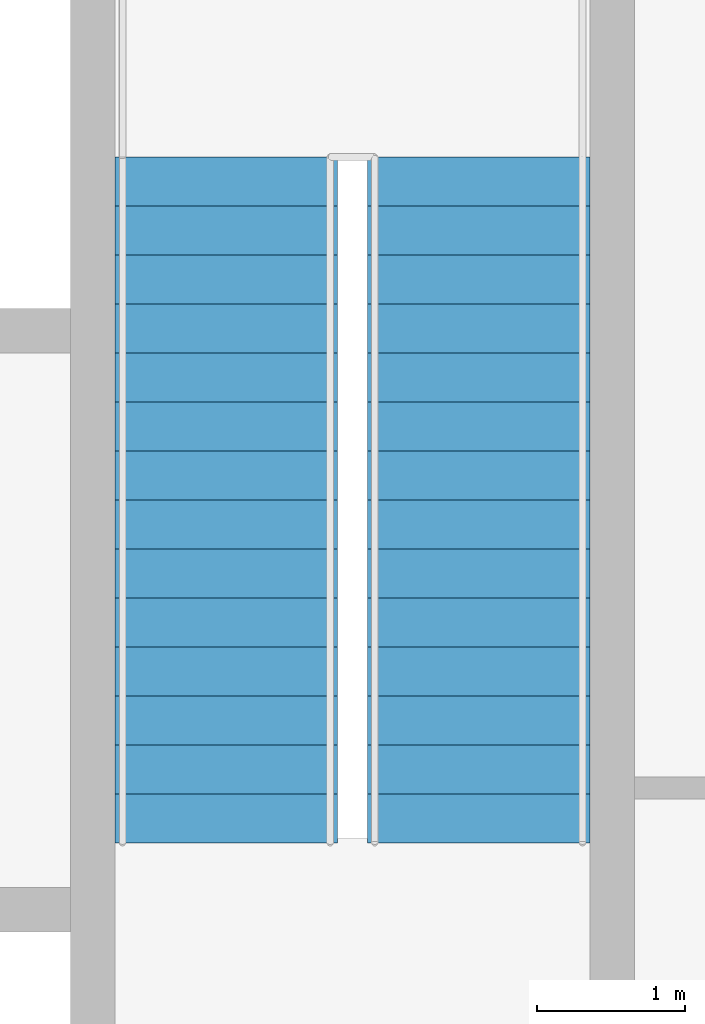
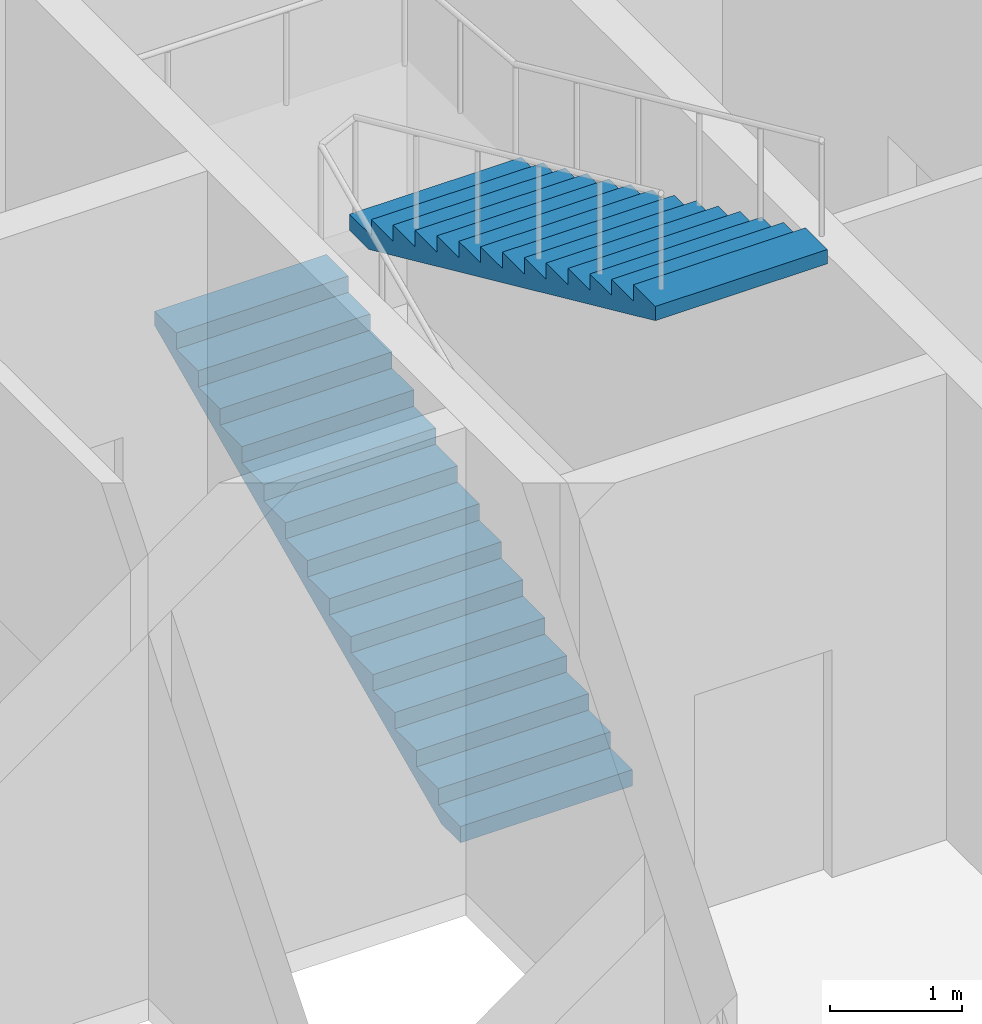
# One storey, part 11 of 12: 2 stair flights, 1 element without a shape of its own.
"""IFC4 building model written with IfcOpenShell, lengths in metres."""

from ifc_helpers import new_model, si_unit, direction, frame, origin, place, context, subcontext, project, spatial, polygons, material, type_object, element, aggregate, save


model = new_model("IFC4")

# Units and contexts
model_context = context("Model", 3, precision=1e-05, world=origin(), true_north=direction((0.0, 1.0)))
body_context = subcontext(model_context, "Body", "Model", "MODEL_VIEW")
ifc_project = project(units=[si_unit("LENGTHUNIT", "METRE"), si_unit("AREAUNIT", "SQUARE_METRE"), si_unit("VOLUMEUNIT", "CUBIC_METRE"), si_unit("PLANEANGLEUNIT", "RADIAN"), si_unit("MASSUNIT", "GRAM", prefix="KILO")], contexts=[model_context])

# Site, building, storey
site_placement = place(None, origin())
site = spatial("IfcSite", under=ifc_project, at=site_placement, CompositionType="ELEMENT")
building_placement = place(site_placement, origin())
building = spatial("IfcBuilding", under=site, at=building_placement, Name="Njiva Tower", CompositionType="ELEMENT")
storey_placement = place(building_placement, frame((0.0, 0.0, 111.3)))
storey = spatial("IfcBuildingStorey", under=building, at=storey_placement, Name="L23", CompositionType="ELEMENT", Elevation=111.3)

# Stair, stair flights
ifc_material = material(Name="Concrete C40/50", Category="concrete")
stair_type = type_object("IfcStairType", Name="ST4 Exit stair 1500", PredefinedType="HALF_TURN_STAIR", material=ifc_material)
stair_placement = place(storey_placement, origin())
stair = element("IfcStair", 1, at=stair_placement, inside=storey, type_object=stair_type, Name="Stair B", PredefinedType="HALF_TURN_STAIR")
stair_flight_type = type_object("IfcStairFlightType", Name="FL4 Stair flight 1500", PredefinedType="STRAIGHT", material=ifc_material)
stair_flight_1_placement = place(storey_placement, frame((11.75, 11.1, 0.0), z_axis=(0.0, 0.0, 1.0), x_axis=(0.0, 1.0, 0.0)))
stair_flight_1 = element("IfcStairFlight", 2, at=stair_flight_1_placement, type_object=stair_flight_type, Name="ST-B flight 1", NumberOfRisers=15, NumberOfTreads=14, PredefinedType="STRAIGHT", RiserHeight=0.15, TreadLength=0.33, context=body_context, shape_type="Tessellation", body=[
    polygons([(0.0, 0.75, 0.0), (0.0, 0.375, 0.0), (0.0, 0.0, 0.0), (0.0, -0.375, 0.0), (0.0, -0.75, 0.0), (0.0, 0.75, 0.15), (0.0, 0.375, 0.15), (0.0, 0.0, 0.15), (0.0, -0.375, 0.15), (0.0, -0.75, 0.15), (0.33, 0.75, 0.15), (0.33, 0.375, 0.15), (0.33, 0.0, 0.15), (0.33, -0.375, 0.15), (0.33, -0.75, 0.15), (0.33, 0.75, 0.3), (0.33, 0.375, 0.3), (0.33, 0.0, 0.3), (0.33, -0.375, 0.3), (0.33, -0.75, 0.3), (0.66, 0.75, 0.3), (0.66, 0.375, 0.3), (0.66, 0.0, 0.3), (0.66, -0.375, 0.3), (0.66, -0.75, 0.3), (0.66, 0.75, 0.45), (0.66, 0.375, 0.45), (0.66, 0.0, 0.45), (0.66, -0.375, 0.45), (0.66, -0.75, 0.45), (0.99, 0.75, 0.45), (0.99, 0.375, 0.45), (0.99, 0.0, 0.45), (0.99, -0.375, 0.45), (0.99, -0.75, 0.45), (0.99, 0.75, 0.6), (0.99, 0.375, 0.6), (0.99, 0.0, 0.6), (0.99, -0.375, 0.6), (0.99, -0.75, 0.6), (1.32, 0.75, 0.6), (1.32, 0.375, 0.6), (1.32, 0.0, 0.6), (1.32, -0.375, 0.6), (1.32, -0.75, 0.6), (1.32, 0.75, 0.75), (1.32, 0.375, 0.75), (1.32, 0.0, 0.75), (1.32, -0.375, 0.75), (1.32, -0.75, 0.75), (1.65, 0.75, 0.75), (1.65, 0.375, 0.75), (1.65, 0.0, 0.75), (1.65, -0.375, 0.75), (1.65, -0.75, 0.75), (1.65, 0.75, 0.9), (1.65, 0.375, 0.9), (1.65, 0.0, 0.9), (1.65, -0.375, 0.9), (1.65, -0.75, 0.9), (1.98, 0.75, 0.9), (1.98, 0.375, 0.9), (1.98, 0.0, 0.9), (1.98, -0.375, 0.9), (1.98, -0.75, 0.9), (1.98, 0.75, 1.05), (1.98, 0.375, 1.05), (1.98, 0.0, 1.05), (1.98, -0.375, 1.05), (1.98, -0.75, 1.05), (2.31, 0.75, 1.05), (2.31, 0.375, 1.05), (2.31, 0.0, 1.05), (2.31, -0.375, 1.05), (2.31, -0.75, 1.05), (2.31, 0.75, 1.2), (2.31, 0.375, 1.2), (2.31, 0.0, 1.2), (2.31, -0.375, 1.2), (2.31, -0.75, 1.2), (2.64, 0.75, 1.2), (2.64, 0.375, 1.2), (2.64, 0.0, 1.2), (2.64, -0.375, 1.2), (2.64, -0.75, 1.2), (2.64, 0.75, 1.35), (2.64, 0.375, 1.35), (2.64, 0.0, 1.35), (2.64, -0.375, 1.35), (2.64, -0.75, 1.35), (2.97, 0.75, 1.35), (2.97, 0.375, 1.35), (2.97, 0.0, 1.35), (2.97, -0.375, 1.35), (2.97, -0.75, 1.35), (2.97, 0.75, 1.5), (2.97, 0.375, 1.5), (2.97, 0.0, 1.5), (2.97, -0.375, 1.5), (2.97, -0.75, 1.5), (3.3, 0.75, 1.5), (3.3, 0.375, 1.5), (3.3, 0.0, 1.5), (3.3, -0.375, 1.5), (3.3, -0.75, 1.5), (3.3, 0.75, 1.65), (3.3, 0.375, 1.65), (3.3, 0.0, 1.65), (3.3, -0.375, 1.65), (3.3, -0.75, 1.65), (3.63, 0.75, 1.65), (3.63, 0.375, 1.65), (3.63, 0.0, 1.65), (3.63, -0.375, 1.65), (3.63, -0.75, 1.65), (3.63, 0.75, 1.8), (3.63, 0.375, 1.8), (3.63, 0.0, 1.8), (3.63, -0.375, 1.8), (3.63, -0.75, 1.8), (3.96, 0.75, 1.8), (3.96, 0.375, 1.8), (3.96, 0.0, 1.8), (3.96, -0.375, 1.8), (3.96, -0.75, 1.8), (3.96, 0.75, 1.95), (3.96, 0.375, 1.95), (3.96, 0.0, 1.95), (3.96, -0.375, 1.95), (3.96, -0.75, 1.95), (4.29, 0.75, 1.95), (4.29, 0.375, 1.95), (4.29, 0.0, 1.95), (4.29, -0.375, 1.95), (4.29, -0.75, 1.95), (4.29, 0.75, 2.1), (4.29, 0.375, 2.1), (4.29, 0.0, 2.1), (4.29, -0.375, 2.1), (4.29, -0.75, 2.1), (4.62, 0.75, 2.1), (4.62, 0.375, 2.1), (4.62, 0.0, 2.1), (4.62, -0.375, 2.1), (4.62, -0.75, 2.1), (4.62, 0.75, 1.9682), (4.62, 0.375, 1.9682), (4.62, 0.0, 1.9682), (4.62, -0.375, 1.9682), (4.62, -0.75, 1.9682), (0.29, 0.75, 0.0), (0.29, 0.375, 0.0), (0.29, 0.0, 0.0), (0.29, -0.375, 0.0), (0.29, -0.75, 0.0)], [[[1, 6, 11, 16, 21, 26, 31, 36, 41, 46, 51, 56, 61, 66, 71, 76, 81, 86, 91, 96, 101, 106, 111, 116, 121, 126, 131, 136, 141, 146, 151]], [[155, 150, 145, 140, 135, 130, 125, 120, 115, 110, 105, 100, 95, 90, 85, 80, 75, 70, 65, 60, 55, 50, 45, 40, 35, 30, 25, 20, 15, 10, 5]], [[6, 1, 2, 7]], [[7, 2, 3, 8]], [[8, 3, 4, 9]], [[9, 4, 5, 10]], [[11, 6, 7, 12]], [[12, 7, 8, 13]], [[13, 8, 9, 14]], [[14, 9, 10, 15]], [[16, 11, 12, 17]], [[17, 12, 13, 18]], [[18, 13, 14, 19]], [[19, 14, 15, 20]], [[21, 16, 17, 22]], [[22, 17, 18, 23]], [[23, 18, 19, 24]], [[24, 19, 20, 25]], [[26, 21, 22, 27]], [[27, 22, 23, 28]], [[28, 23, 24, 29]], [[29, 24, 25, 30]], [[31, 26, 27, 32]], [[32, 27, 28, 33]], [[33, 28, 29, 34]], [[34, 29, 30, 35]], [[36, 31, 32, 37]], [[37, 32, 33, 38]], [[38, 33, 34, 39]], [[39, 34, 35, 40]], [[41, 36, 37, 42]], [[42, 37, 38, 43]], [[43, 38, 39, 44]], [[44, 39, 40, 45]], [[46, 41, 42, 47]], [[47, 42, 43, 48]], [[48, 43, 44, 49]], [[49, 44, 45, 50]], [[51, 46, 47, 52]], [[52, 47, 48, 53]], [[53, 48, 49, 54]], [[54, 49, 50, 55]], [[56, 51, 52, 57]], [[57, 52, 53, 58]], [[58, 53, 54, 59]], [[59, 54, 55, 60]], [[61, 56, 57, 62]], [[62, 57, 58, 63]], [[63, 58, 59, 64]], [[64, 59, 60, 65]], [[66, 61, 62, 67]], [[67, 62, 63, 68]], [[68, 63, 64, 69]], [[69, 64, 65, 70]], [[71, 66, 67, 72]], [[72, 67, 68, 73]], [[73, 68, 69, 74]], [[74, 69, 70, 75]], [[76, 71, 72, 77]], [[77, 72, 73, 78]], [[78, 73, 74, 79]], [[79, 74, 75, 80]], [[81, 76, 77, 82]], [[82, 77, 78, 83]], [[83, 78, 79, 84]], [[84, 79, 80, 85]], [[86, 81, 82, 87]], [[87, 82, 83, 88]], [[88, 83, 84, 89]], [[89, 84, 85, 90]], [[91, 86, 87, 92]], [[92, 87, 88, 93]], [[93, 88, 89, 94]], [[94, 89, 90, 95]], [[96, 91, 92, 97]], [[97, 92, 93, 98]], [[98, 93, 94, 99]], [[99, 94, 95, 100]], [[101, 96, 97, 102]], [[102, 97, 98, 103]], [[103, 98, 99, 104]], [[104, 99, 100, 105]], [[106, 101, 102, 107]], [[107, 102, 103, 108]], [[108, 103, 104, 109]], [[109, 104, 105, 110]], [[111, 106, 107, 112]], [[112, 107, 108, 113]], [[113, 108, 109, 114]], [[114, 109, 110, 115]], [[116, 111, 112, 117]], [[117, 112, 113, 118]], [[118, 113, 114, 119]], [[119, 114, 115, 120]], [[121, 116, 117, 122]], [[122, 117, 118, 123]], [[123, 118, 119, 124]], [[124, 119, 120, 125]], [[126, 121, 122, 127]], [[127, 122, 123, 128]], [[128, 123, 124, 129]], [[129, 124, 125, 130]], [[131, 126, 127, 132]], [[132, 127, 128, 133]], [[133, 128, 129, 134]], [[134, 129, 130, 135]], [[136, 131, 132, 137]], [[137, 132, 133, 138]], [[138, 133, 134, 139]], [[139, 134, 135, 140]], [[141, 136, 137, 142]], [[142, 137, 138, 143]], [[143, 138, 139, 144]], [[144, 139, 140, 145]], [[146, 141, 142, 147]], [[147, 142, 143, 148]], [[148, 143, 144, 149]], [[149, 144, 145, 150]], [[151, 146, 147, 152]], [[152, 147, 148, 153]], [[153, 148, 149, 154]], [[154, 149, 150, 155]], [[1, 151, 152, 2]], [[2, 152, 153, 3]], [[3, 153, 154, 4]], [[4, 154, 155, 5]]], closed=True),
])
stair_flight_2_placement = place(storey_placement, frame((13.45, 15.72, 2.25), z_axis=(0.0, 0.0, 1.0), x_axis=(0.0, -1.0, 0.0)))
stair_flight_2 = element("IfcStairFlight", 3, at=stair_flight_2_placement, type_object=stair_flight_type, Name="ST-B flight 2", NumberOfRisers=15, NumberOfTreads=14, PredefinedType="STRAIGHT", RiserHeight=0.15, TreadLength=0.33, context=body_context, shape_type="Tessellation", body=[
    polygons([(0.0, 0.75, 0.0), (0.0, 0.375, 0.0), (0.0, 0.0, 0.0), (0.0, -0.375, 0.0), (0.0, -0.75, 0.0), (0.0, 0.75, 0.15), (0.0, 0.375, 0.15), (0.0, 0.0, 0.15), (0.0, -0.375, 0.15), (0.0, -0.75, 0.15), (0.33, 0.75, 0.15), (0.33, 0.375, 0.15), (0.33, 0.0, 0.15), (0.33, -0.375, 0.15), (0.33, -0.75, 0.15), (0.33, 0.75, 0.3), (0.33, 0.375, 0.3), (0.33, 0.0, 0.3), (0.33, -0.375, 0.3), (0.33, -0.75, 0.3), (0.66, 0.75, 0.3), (0.66, 0.375, 0.3), (0.66, 0.0, 0.3), (0.66, -0.375, 0.3), (0.66, -0.75, 0.3), (0.66, 0.75, 0.45), (0.66, 0.375, 0.45), (0.66, 0.0, 0.45), (0.66, -0.375, 0.45), (0.66, -0.75, 0.45), (0.99, 0.75, 0.45), (0.99, 0.375, 0.45), (0.99, 0.0, 0.45), (0.99, -0.375, 0.45), (0.99, -0.75, 0.45), (0.99, 0.75, 0.6), (0.99, 0.375, 0.6), (0.99, 0.0, 0.6), (0.99, -0.375, 0.6), (0.99, -0.75, 0.6), (1.32, 0.75, 0.6), (1.32, 0.375, 0.6), (1.32, 0.0, 0.6), (1.32, -0.375, 0.6), (1.32, -0.75, 0.6), (1.32, 0.75, 0.75), (1.32, 0.375, 0.75), (1.32, 0.0, 0.75), (1.32, -0.375, 0.75), (1.32, -0.75, 0.75), (1.65, 0.75, 0.75), (1.65, 0.375, 0.75), (1.65, 0.0, 0.75), (1.65, -0.375, 0.75), (1.65, -0.75, 0.75), (1.65, 0.75, 0.9), (1.65, 0.375, 0.9), (1.65, 0.0, 0.9), (1.65, -0.375, 0.9), (1.65, -0.75, 0.9), (1.98, 0.75, 0.9), (1.98, 0.375, 0.9), (1.98, 0.0, 0.9), (1.98, -0.375, 0.9), (1.98, -0.75, 0.9), (1.98, 0.75, 1.05), (1.98, 0.375, 1.05), (1.98, 0.0, 1.05), (1.98, -0.375, 1.05), (1.98, -0.75, 1.05), (2.31, 0.75, 1.05), (2.31, 0.375, 1.05), (2.31, 0.0, 1.05), (2.31, -0.375, 1.05), (2.31, -0.75, 1.05), (2.31, 0.75, 1.2), (2.31, 0.375, 1.2), (2.31, 0.0, 1.2), (2.31, -0.375, 1.2), (2.31, -0.75, 1.2), (2.64, 0.75, 1.2), (2.64, 0.375, 1.2), (2.64, 0.0, 1.2), (2.64, -0.375, 1.2), (2.64, -0.75, 1.2), (2.64, 0.75, 1.35), (2.64, 0.375, 1.35), (2.64, 0.0, 1.35), (2.64, -0.375, 1.35), (2.64, -0.75, 1.35), (2.97, 0.75, 1.35), (2.97, 0.375, 1.35), (2.97, 0.0, 1.35), (2.97, -0.375, 1.35), (2.97, -0.75, 1.35), (2.97, 0.75, 1.5), (2.97, 0.375, 1.5), (2.97, 0.0, 1.5), (2.97, -0.375, 1.5), (2.97, -0.75, 1.5), (3.3, 0.75, 1.5), (3.3, 0.375, 1.5), (3.3, 0.0, 1.5), (3.3, -0.375, 1.5), (3.3, -0.75, 1.5), (3.3, 0.75, 1.65), (3.3, 0.375, 1.65), (3.3, 0.0, 1.65), (3.3, -0.375, 1.65), (3.3, -0.75, 1.65), (3.63, 0.75, 1.65), (3.63, 0.375, 1.65), (3.63, 0.0, 1.65), (3.63, -0.375, 1.65), (3.63, -0.75, 1.65), (3.63, 0.75, 1.8), (3.63, 0.375, 1.8), (3.63, 0.0, 1.8), (3.63, -0.375, 1.8), (3.63, -0.75, 1.8), (3.96, 0.75, 1.8), (3.96, 0.375, 1.8), (3.96, 0.0, 1.8), (3.96, -0.375, 1.8), (3.96, -0.75, 1.8), (3.96, 0.75, 1.95), (3.96, 0.375, 1.95), (3.96, 0.0, 1.95), (3.96, -0.375, 1.95), (3.96, -0.75, 1.95), (4.29, 0.75, 1.95), (4.29, 0.375, 1.95), (4.29, 0.0, 1.95), (4.29, -0.375, 1.95), (4.29, -0.75, 1.95), (4.29, 0.75, 2.1), (4.29, 0.375, 2.1), (4.29, 0.0, 2.1), (4.29, -0.375, 2.1), (4.29, -0.75, 2.1), (4.62, 0.75, 2.1), (4.62, 0.375, 2.1), (4.62, 0.0, 2.1), (4.62, -0.375, 2.1), (4.62, -0.75, 2.1), (4.62, 0.75, 1.9682), (4.62, 0.375, 1.9682), (4.62, 0.0, 1.9682), (4.62, -0.375, 1.9682), (4.62, -0.75, 1.9682), (0.29, 0.75, 0.0), (0.29, 0.375, 0.0), (0.29, 0.0, 0.0), (0.29, -0.375, 0.0), (0.29, -0.75, 0.0)], [[[1, 6, 11, 16, 21, 26, 31, 36, 41, 46, 51, 56, 61, 66, 71, 76, 81, 86, 91, 96, 101, 106, 111, 116, 121, 126, 131, 136, 141, 146, 151]], [[155, 150, 145, 140, 135, 130, 125, 120, 115, 110, 105, 100, 95, 90, 85, 80, 75, 70, 65, 60, 55, 50, 45, 40, 35, 30, 25, 20, 15, 10, 5]], [[6, 1, 2, 7]], [[7, 2, 3, 8]], [[8, 3, 4, 9]], [[9, 4, 5, 10]], [[11, 6, 7, 12]], [[12, 7, 8, 13]], [[13, 8, 9, 14]], [[14, 9, 10, 15]], [[16, 11, 12, 17]], [[17, 12, 13, 18]], [[18, 13, 14, 19]], [[19, 14, 15, 20]], [[21, 16, 17, 22]], [[22, 17, 18, 23]], [[23, 18, 19, 24]], [[24, 19, 20, 25]], [[26, 21, 22, 27]], [[27, 22, 23, 28]], [[28, 23, 24, 29]], [[29, 24, 25, 30]], [[31, 26, 27, 32]], [[32, 27, 28, 33]], [[33, 28, 29, 34]], [[34, 29, 30, 35]], [[36, 31, 32, 37]], [[37, 32, 33, 38]], [[38, 33, 34, 39]], [[39, 34, 35, 40]], [[41, 36, 37, 42]], [[42, 37, 38, 43]], [[43, 38, 39, 44]], [[44, 39, 40, 45]], [[46, 41, 42, 47]], [[47, 42, 43, 48]], [[48, 43, 44, 49]], [[49, 44, 45, 50]], [[51, 46, 47, 52]], [[52, 47, 48, 53]], [[53, 48, 49, 54]], [[54, 49, 50, 55]], [[56, 51, 52, 57]], [[57, 52, 53, 58]], [[58, 53, 54, 59]], [[59, 54, 55, 60]], [[61, 56, 57, 62]], [[62, 57, 58, 63]], [[63, 58, 59, 64]], [[64, 59, 60, 65]], [[66, 61, 62, 67]], [[67, 62, 63, 68]], [[68, 63, 64, 69]], [[69, 64, 65, 70]], [[71, 66, 67, 72]], [[72, 67, 68, 73]], [[73, 68, 69, 74]], [[74, 69, 70, 75]], [[76, 71, 72, 77]], [[77, 72, 73, 78]], [[78, 73, 74, 79]], [[79, 74, 75, 80]], [[81, 76, 77, 82]], [[82, 77, 78, 83]], [[83, 78, 79, 84]], [[84, 79, 80, 85]], [[86, 81, 82, 87]], [[87, 82, 83, 88]], [[88, 83, 84, 89]], [[89, 84, 85, 90]], [[91, 86, 87, 92]], [[92, 87, 88, 93]], [[93, 88, 89, 94]], [[94, 89, 90, 95]], [[96, 91, 92, 97]], [[97, 92, 93, 98]], [[98, 93, 94, 99]], [[99, 94, 95, 100]], [[101, 96, 97, 102]], [[102, 97, 98, 103]], [[103, 98, 99, 104]], [[104, 99, 100, 105]], [[106, 101, 102, 107]], [[107, 102, 103, 108]], [[108, 103, 104, 109]], [[109, 104, 105, 110]], [[111, 106, 107, 112]], [[112, 107, 108, 113]], [[113, 108, 109, 114]], [[114, 109, 110, 115]], [[116, 111, 112, 117]], [[117, 112, 113, 118]], [[118, 113, 114, 119]], [[119, 114, 115, 120]], [[121, 116, 117, 122]], [[122, 117, 118, 123]], [[123, 118, 119, 124]], [[124, 119, 120, 125]], [[126, 121, 122, 127]], [[127, 122, 123, 128]], [[128, 123, 124, 129]], [[129, 124, 125, 130]], [[131, 126, 127, 132]], [[132, 127, 128, 133]], [[133, 128, 129, 134]], [[134, 129, 130, 135]], [[136, 131, 132, 137]], [[137, 132, 133, 138]], [[138, 133, 134, 139]], [[139, 134, 135, 140]], [[141, 136, 137, 142]], [[142, 137, 138, 143]], [[143, 138, 139, 144]], [[144, 139, 140, 145]], [[146, 141, 142, 147]], [[147, 142, 143, 148]], [[148, 143, 144, 149]], [[149, 144, 145, 150]], [[151, 146, 147, 152]], [[152, 147, 148, 153]], [[153, 148, 149, 154]], [[154, 149, 150, 155]], [[1, 151, 152, 2]], [[2, 152, 153, 3]], [[3, 153, 154, 4]], [[4, 154, 155, 5]]], closed=True),
])
aggregate(stair, [stair_flight_1, stair_flight_2])

save(model, "model.ifc")
